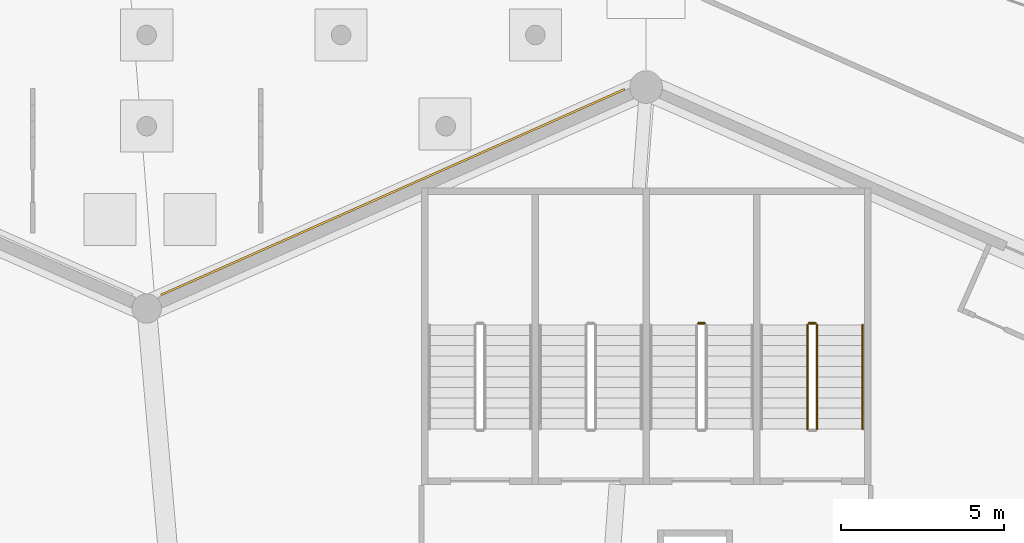
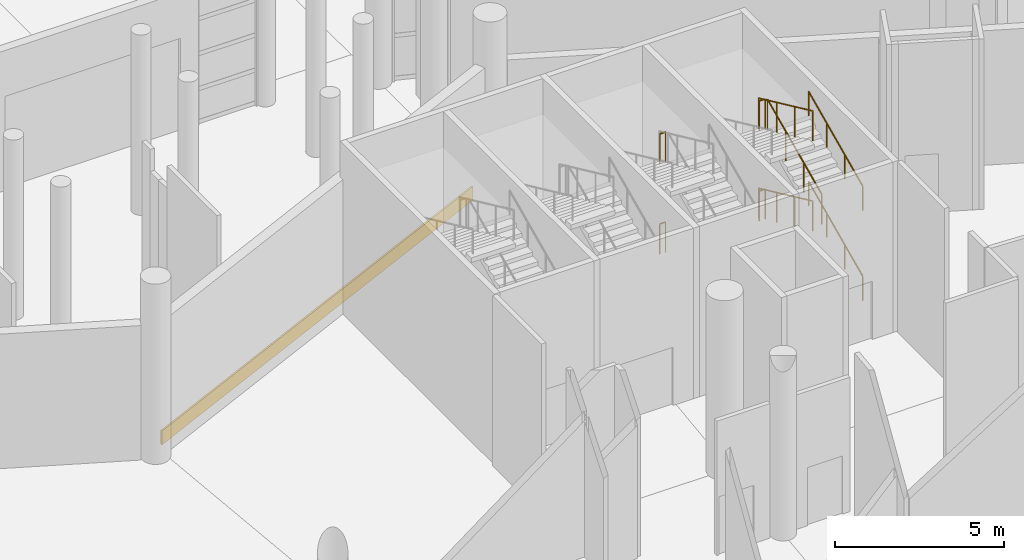
# One storey, part 248 of 255: 9 railings, 1 covering.
"""IFC4 building model written with IfcOpenShell, lengths in metres."""

from ifc_helpers import new_model, si_unit, direction, frame, origin, origin_2d, place, context, subcontext, project, spatial, rectangle, circle, extrude, material, layer, layer_set, type_object, element, save


model = new_model("IFC4")

# Units and contexts
model_context = context("Model", 3, precision=1e-05, world=origin(), true_north=direction((0.0, 1.0)))
body_context = subcontext(model_context, "Body", "Model", "MODEL_VIEW")
ifc_project = project(units=[si_unit("LENGTHUNIT", "METRE"), si_unit("AREAUNIT", "SQUARE_METRE"), si_unit("VOLUMEUNIT", "CUBIC_METRE"), si_unit("PLANEANGLEUNIT", "RADIAN"), si_unit("MASSUNIT", "GRAM", prefix="KILO")], contexts=[model_context])

# Site, building, storey
site_placement = place(None, origin())
site = spatial("IfcSite", under=ifc_project, at=site_placement, CompositionType="ELEMENT")
building_placement = place(site_placement, origin())
building = spatial("IfcBuilding", under=site, at=building_placement, Name="Meseta Stadium", CompositionType="ELEMENT")
storey_placement = place(building_placement, origin())
storey = spatial("IfcBuildingStorey", under=building, at=storey_placement, Name="L00", CompositionType="ELEMENT", Elevation=0.0)

# Covering
ifc_material_1 = material(Name="Guadarrama granite cladding", Category="masonry")
ifc_layer = layer(ifc_material_1, 0.06005859375)
ifc_layer_set = layer_set([ifc_layer], Name="Granite plinth cladding 60")
covering_type = type_object("IfcCoveringType", Name="Granite plinth cladding 60", PredefinedType="CLADDING", material=ifc_layer_set)
covering_placement = place(storey_placement, frame((-0.10595703125, 102.17724609375, 0.0), z_axis=(0.0, 0.0, 1.0), x_axis=(0.914139367606, 0.405400069798, 0.0)))
element("IfcCovering", 1, at=covering_placement, inside=storey, type_object=covering_type, Name="Granite plinth L00 F18", PredefinedType="CLADDING", context=body_context, shape_type="SweptSolid", body=[
    extrude(rectangle(XDim=15.58447265625, YDim=0.06005859375, at=origin_2d()), origin(), (0.0, 0.0, 1.0), 0.5),
])

# Railings
ifc_material_2 = material(Name="Steel S355", Category="steel")
railing_type_1 = type_object("IfcRailingType", Name="Stair guard 1100", PredefinedType="GUARDRAIL", material=ifc_material_2)
railing_1_placement = place(storey_placement, frame((12.86669921875, 98.14990234375, 1.625)))
element("IfcRailing", 2, at=railing_1_placement, inside=storey, type_object=railing_type_1, Name="ST37 L00 guard 2", PredefinedType="GUARDRAIL", context=body_context, shape_type="SweptSolid", body=[
    extrude(circle(Radius=0.02392578125, at=origin_2d()), frame((0.0, 0.0, 1.076171875), z_axis=(-1.0, 0.0, 0.0), x_axis=(0.0, -1.0, 0.0)), (0.0, 0.0, 1.0), 0.199951171875),
    extrude(circle(Radius=0.02099609375, at=origin_2d()), origin(), (0.0, 0.0, 1.0), 1.052001953125),
    extrude(circle(Radius=0.02099609375, at=origin_2d()), frame((-0.199951171875, 0.0, 0.0)), (0.0, 0.0, 1.0), 1.052001953125),
])
railing_2_placement = place(storey_placement, frame((12.61669921875, 98.10009765625, 1.772705078125)))
element("IfcRailing", 3, at=railing_2_placement, inside=storey, type_object=railing_type_1, Name="ST37 L00 guard 3", PredefinedType="GUARDRAIL", context=body_context, shape_type="SweptSolid", body=[
    extrude(circle(Radius=0.02392578125, at=origin_2d()), frame((0.0, 0.0, 1.076171875), z_axis=(0.0, -0.907928972973, 0.419124062821), x_axis=(1.0, 0.0, 0.0)), (0.0, 0.0, 1.0), 3.524658203125),
    extrude(circle(Radius=0.02099609375, at=origin_2d()), origin(), (0.0, 0.0, 1.0), 1.052001953125),
    extrude(circle(Radius=0.02099609375, at=origin_2d()), frame((0.0, -1.066650390625, 0.492431640625)), (0.0, 0.0, 1.0), 1.052001953125),
    extrude(circle(Radius=0.02099609375, at=origin_2d()), frame((0.0, -2.133544921875, 0.98486328125)), (0.0, 0.0, 1.0), 1.052001953125),
    extrude(circle(Radius=0.02099609375, at=origin_2d()), frame((0.0, -3.2001953125, 1.477294921875)), (0.0, 0.0, 1.0), 1.052001953125),
])
railing_3_placement = place(storey_placement, frame((12.916748046875, 94.89990234375, 3.397705078125)))
element("IfcRailing", 4, at=railing_3_placement, inside=storey, type_object=railing_type_1, Name="ST37 L00 guard 5", PredefinedType="GUARDRAIL", context=body_context, shape_type="SweptSolid", body=[
    extrude(circle(Radius=0.02392578125, at=origin_2d()), frame((0.0, 0.0, 1.076171875), z_axis=(0.0, 0.907928972973, 0.419124062821), x_axis=(-1.0, 0.0, 0.0)), (0.0, 0.0, 1.0), 3.524658203125),
    extrude(circle(Radius=0.02099609375, at=origin_2d()), origin(), (0.0, 0.0, 1.0), 1.052001953125),
    extrude(circle(Radius=0.02099609375, at=origin_2d()), frame((0.0, 1.066650390625, 0.492431640625)), (0.0, 0.0, 1.0), 1.052001953125),
    extrude(circle(Radius=0.02099609375, at=origin_2d()), frame((0.0, 2.133544921875, 0.98486328125)), (0.0, 0.0, 1.0), 1.052001953125),
    extrude(circle(Radius=0.02099609375, at=origin_2d()), frame((0.0, 3.2001953125, 1.477294921875)), (0.0, 0.0, 1.0), 1.052001953125),
])
railing_4_placement = place(storey_placement, frame((12.86669921875, 98.14990234375, 4.875)))
element("IfcRailing", 5, at=railing_4_placement, inside=storey, type_object=railing_type_1, Name="ST37 L00 guard 6", PredefinedType="GUARDRAIL", context=body_context, shape_type="SweptSolid", body=[
    extrude(circle(Radius=0.02392578125, at=origin_2d()), frame((0.0, 0.0, 1.076171875), z_axis=(-1.0, 0.0, 0.0), x_axis=(0.0, -1.0, 0.0)), (0.0, 0.0, 1.0), 0.199951171875),
    extrude(circle(Radius=0.02099609375, at=origin_2d()), origin(), (0.0, 0.0, 1.0), 1.052001953125),
    extrude(circle(Radius=0.02099609375, at=origin_2d()), frame((-0.199951171875, 0.0, 0.0)), (0.0, 0.0, 1.0), 1.052001953125),
])
railing_5_placement = place(storey_placement, frame((12.61669921875, 98.10009765625, 5.022705078125)))
element("IfcRailing", 6, at=railing_5_placement, inside=storey, type_object=railing_type_1, Name="ST37 L00 guard 7", PredefinedType="GUARDRAIL", context=body_context, shape_type="SweptSolid", body=[
    extrude(circle(Radius=0.02392578125, at=origin_2d()), frame((0.0, 0.0, 1.076171875), z_axis=(0.0, -0.907928972973, 0.419124062821), x_axis=(1.0, 0.0, 0.0)), (0.0, 0.0, 1.0), 3.524658203125),
    extrude(circle(Radius=0.02099609375, at=origin_2d()), origin(), (0.0, 0.0, 1.0), 1.052001953125),
    extrude(circle(Radius=0.02099609375, at=origin_2d()), frame((0.0, -1.066650390625, 0.492431640625)), (0.0, 0.0, 1.0), 1.052001953125),
    extrude(circle(Radius=0.02099609375, at=origin_2d()), frame((0.0, -2.133544921875, 0.98486328125)), (0.0, 0.0, 1.0), 1.052001953125),
    extrude(circle(Radius=0.02099609375, at=origin_2d()), frame((0.0, -3.2001953125, 1.477294921875)), (0.0, 0.0, 1.0), 1.052001953125),
])
for number, where, name in (
    (7, (9.466552734375, 98.14990234375, 1.625), "ST38 L00 guard 2"),
    (8, (9.466552734375, 98.14990234375, 4.875), "ST38 L00 guard 6"),
):
    element("IfcRailing", number, at=place(storey_placement, frame(where)), inside=storey, type_object=railing_type_1, Name=name, PredefinedType="GUARDRAIL", context=body_context, shape_type="SweptSolid", body=[
        extrude(circle(Radius=0.02392578125, at=origin_2d()), frame((0.0, 0.0, 1.076171875), z_axis=(-1.0, 0.0, 0.0), x_axis=(0.0, -1.0, 0.0)), (0.0, 0.0, 1.0), 0.199951171875),
        extrude(circle(Radius=0.02099609375, at=origin_2d()), origin(), (0.0, 0.0, 1.0), 1.052001953125),
        extrude(circle(Radius=0.02099609375, at=origin_2d()), frame((-0.199951171875, 0.0, 0.0)), (0.0, 0.0, 1.0), 1.052001953125),
    ])
ifc_material_3 = material(Name="Steel S355", Category="steel")
railing_type_2 = type_object("IfcRailingType", Name="Stair handrail 900", PredefinedType="HANDRAIL", material=ifc_material_3)
for number, where, name in (
    (9, (14.316650390625, 94.89990234375, 0.147705078125), "ST37 L00 handrail 1"),
    (10, (14.316650390625, 94.89990234375, 3.397705078125), "ST37 L00 handrail 3"),
):
    element("IfcRailing", number, at=place(storey_placement, frame(where)), inside=storey, type_object=railing_type_2, Name=name, PredefinedType="HANDRAIL", context=body_context, shape_type="SweptSolid", body=[
        extrude(circle(Radius=0.02392578125, at=origin_2d()), frame((0.0, 0.0, 0.8759765625), z_axis=(0.0, 0.907928972973, 0.419124062821), x_axis=(-1.0, 0.0, 0.0)), (0.0, 0.0, 1.0), 3.524658203125),
        extrude(circle(Radius=0.02099609375, at=origin_2d()), origin(), (0.0, 0.0, 1.0), 0.851806640625),
        extrude(circle(Radius=0.02099609375, at=origin_2d()), frame((0.0, 1.066650390625, 0.492431640625)), (0.0, 0.0, 1.0), 0.851806640625),
        extrude(circle(Radius=0.02099609375, at=origin_2d()), frame((0.0, 2.133544921875, 0.98486328125)), (0.0, 0.0, 1.0), 0.851806640625),
        extrude(circle(Radius=0.02099609375, at=origin_2d()), frame((0.0, 3.2001953125, 1.477294921875)), (0.0, 0.0, 1.0), 0.851806640625),
    ])

save(model, "model.ifc")
